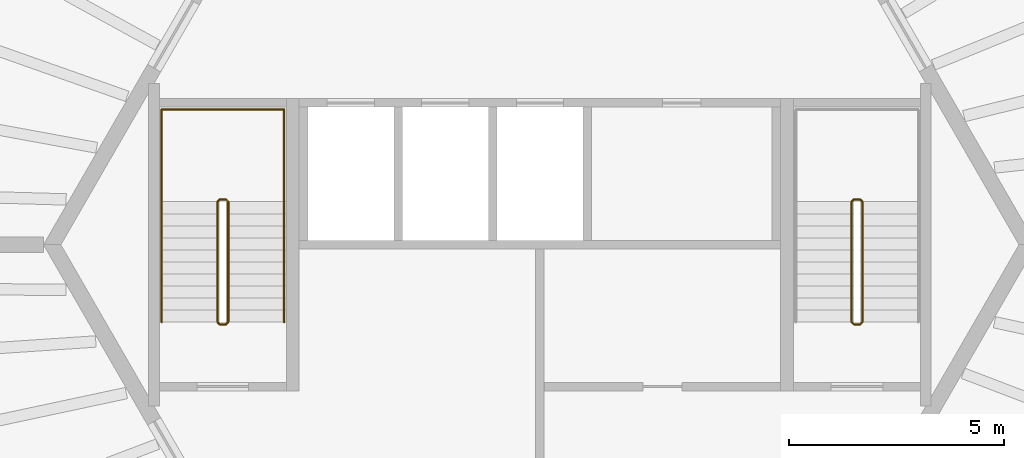
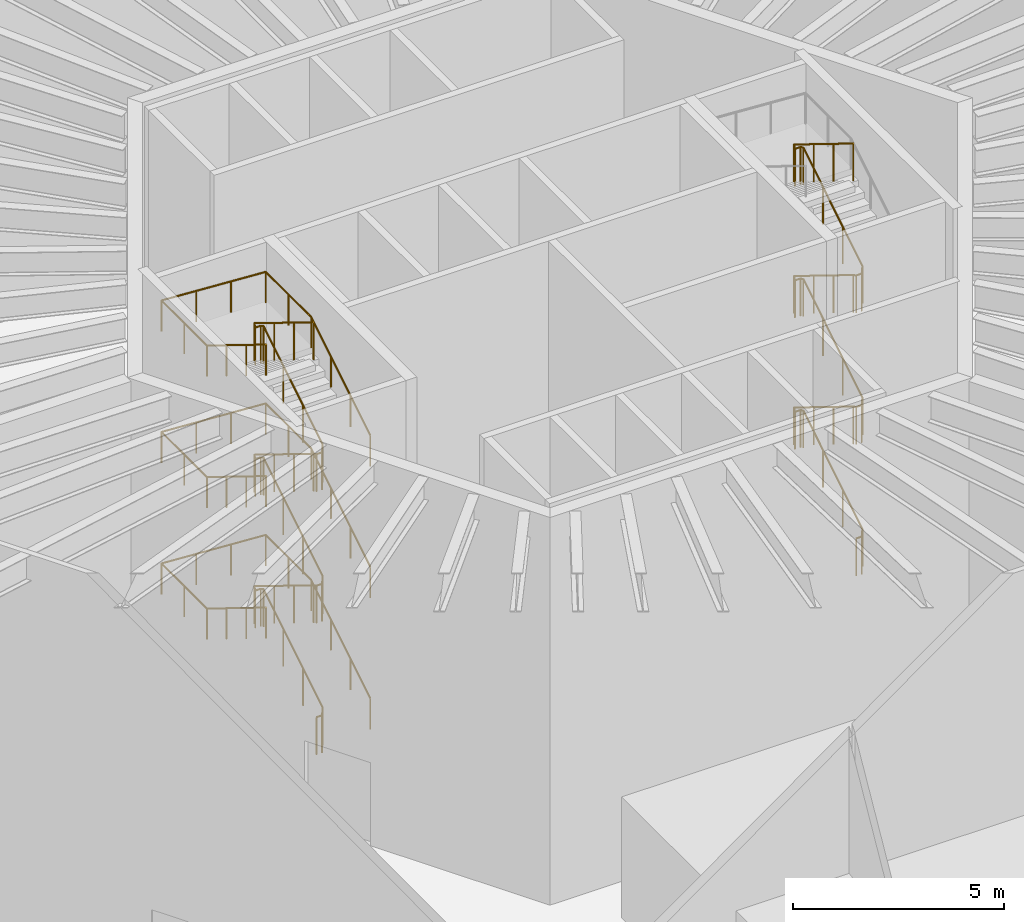
# One storey, part 16 of 17: 5 railings.
"""IFC4 building model written with IfcOpenShell, lengths in metres."""

from ifc_helpers import new_model, si_unit, direction, frame, origin, origin_2d, place, context, subcontext, project, spatial, circle, extrude, material, type_object, element, save


model = new_model("IFC4")

# Units and contexts
model_context = context("Model", 3, precision=1e-05, world=origin(), true_north=direction((0.0, 1.0)))
body_context = subcontext(model_context, "Body", "Model", "MODEL_VIEW")
ifc_project = project(units=[si_unit("LENGTHUNIT", "METRE"), si_unit("AREAUNIT", "SQUARE_METRE"), si_unit("VOLUMEUNIT", "CUBIC_METRE"), si_unit("PLANEANGLEUNIT", "RADIAN"), si_unit("MASSUNIT", "GRAM", prefix="KILO")], contexts=[model_context])

# Site, building, storey
site_placement = place(None, origin())
site = spatial("IfcSite", under=ifc_project, at=site_placement, CompositionType="ELEMENT")
building_placement = place(site_placement, origin())
building = spatial("IfcBuilding", under=site, at=building_placement, Name="Tarnside Tower", CompositionType="ELEMENT")
storey_placement = place(building_placement, frame((0.0, 0.0, 376.800048828125)))
storey = spatial("IfcBuildingStorey", under=building, at=storey_placement, Name="L91", CompositionType="ELEMENT", Elevation=376.800048828125)

# Railings
ifc_material = material(Name="Stainless steel", Category="steel")
railing_type_1 = type_object("IfcRailingType", Name="Stair guard 1100", PredefinedType="GUARDRAIL", material=ifc_material)
railing_1_placement = place(storey_placement, frame((7.300048828125, -1.85009765625, 0.0)))
element("IfcRailing", 1, at=railing_1_placement, inside=storey, type_object=railing_type_1, Name="L91 ST1 stair guard 1", PredefinedType="GUARDRAIL", context=body_context, shape_type="SweptSolid", body=[
    extrude(circle(Radius=0.02392578125, at=origin_2d()), frame((0.0, 0.0, 1.076171875), z_axis=(1.0, 0.0, 0.0), x_axis=(0.0, 1.0, 0.0)), (0.0, 0.0, 1.0), 0.14990234375),
    extrude(circle(Radius=0.02392578125, at=origin_2d()), frame((0.14990234375, 0.0, 1.076171875), z_axis=(0.268277960024, 0.268277960024, 0.925231793839), x_axis=(-0.707106781187, 0.707106781187, 0.0)), (0.0, 0.0, 1.0), 0.1865234375),
    extrude(circle(Radius=0.02392578125, at=origin_2d()), frame((0.199951171875, 0.050048828125, 1.24853515625), z_axis=(0.0, 0.851089632645, 0.525020415988), x_axis=(-1.0, 0.0, 0.0)), (0.0, 0.0, 1.0), 3.2900390625),
    extrude(circle(Radius=0.02392578125, at=origin_2d()), frame((0.199951171875, 2.85009765625, 2.97607421875), z_axis=(-0.707106781187, 0.707106781187, 0.0), x_axis=(-0.707106781187, -0.707106781187, 0.0)), (0.0, 0.0, 1.0), 0.07080078125),
    extrude(circle(Radius=0.02392578125, at=origin_2d()), frame((0.14990234375, 2.900146484375, 2.97607421875), z_axis=(-1.0, 0.0, 0.0), x_axis=(0.0, -1.0, 0.0)), (0.0, 0.0, 1.0), 0.14990234375),
    extrude(circle(Radius=0.02392578125, at=origin_2d()), frame((0.0, 2.900146484375, 2.97607421875), z_axis=(-0.267953482034, -0.267953482034, 0.925419830635), x_axis=(0.707106781187, -0.707106781187, 0.0)), (0.0, 0.0, 1.0), 0.186767578125),
    extrude(circle(Radius=0.02392578125, at=origin_2d()), frame((-0.050048828125, 2.85009765625, 3.14892578125), z_axis=(0.0, -0.851089632645, 0.525020415988), x_axis=(1.0, 0.0, 0.0)), (0.0, 0.0, 1.0), 3.2900390625),
    extrude(circle(Radius=0.02392578125, at=origin_2d()), frame((-0.050048828125, 0.050048828125, 4.8759765625), z_axis=(0.707106781187, -0.707106781187, 0.0), x_axis=(0.707106781187, 0.707106781187, 0.0)), (0.0, 0.0, 1.0), 0.07080078125),
    extrude(circle(Radius=0.02392578125, at=origin_2d()), frame((0.0, 0.0, 4.8759765625), z_axis=(1.0, 0.0, 0.0), x_axis=(0.0, 1.0, 0.0)), (0.0, 0.0, 1.0), 0.14990234375),
    extrude(circle(Radius=0.02392578125, at=origin_2d()), frame((0.14990234375, 0.0, 4.8759765625), z_axis=(0.268277960024, 0.268277960024, 0.925231793839), x_axis=(-0.707106781187, 0.707106781187, 0.0)), (0.0, 0.0, 1.0), 0.1865234375),
    extrude(circle(Radius=0.02392578125, at=origin_2d()), frame((0.199951171875, 0.050048828125, 5.048828125), z_axis=(0.0, 0.851089632645, 0.525020415988), x_axis=(-1.0, 0.0, 0.0)), (0.0, 0.0, 1.0), 3.2900390625),
    extrude(circle(Radius=0.02392578125, at=origin_2d()), frame((0.199951171875, 2.85009765625, 6.77587890625), z_axis=(-0.707106781187, 0.707106781187, 0.0), x_axis=(-0.707106781187, -0.707106781187, 0.0)), (0.0, 0.0, 1.0), 0.07080078125),
    extrude(circle(Radius=0.02392578125, at=origin_2d()), frame((0.14990234375, 2.900146484375, 6.77587890625), z_axis=(-1.0, 0.0, 0.0), x_axis=(0.0, -1.0, 0.0)), (0.0, 0.0, 1.0), 0.14990234375),
    extrude(circle(Radius=0.02392578125, at=origin_2d()), frame((0.0, 2.900146484375, 6.77587890625), z_axis=(-0.268277960024, -0.268277960024, 0.925231793839), x_axis=(0.707106781187, -0.707106781187, 0.0)), (0.0, 0.0, 1.0), 0.1865234375),
    extrude(circle(Radius=0.02392578125, at=origin_2d()), frame((-0.050048828125, 2.85009765625, 6.94873046875), z_axis=(0.0, -0.851089632645, 0.525020415988), x_axis=(1.0, 0.0, 0.0)), (0.0, 0.0, 1.0), 3.2900390625),
    extrude(circle(Radius=0.02392578125, at=origin_2d()), frame((-0.050048828125, 0.050048828125, 8.67578125), z_axis=(0.707106781187, -0.707106781187, 0.0), x_axis=(0.707106781187, 0.707106781187, 0.0)), (0.0, 0.0, 1.0), 0.07080078125),
    extrude(circle(Radius=0.02392578125, at=origin_2d()), frame((0.0, 0.0, 8.67578125), z_axis=(1.0, 0.0, 0.0), x_axis=(0.0, 1.0, 0.0)), (0.0, 0.0, 1.0), 0.14990234375),
    extrude(circle(Radius=0.02392578125, at=origin_2d()), frame((0.14990234375, 0.0, 8.67578125), z_axis=(0.267953482034, 0.267953482034, 0.925419830635), x_axis=(-0.707106781187, 0.707106781187, 0.0)), (0.0, 0.0, 1.0), 0.186767578125),
    extrude(circle(Radius=0.02392578125, at=origin_2d()), frame((0.199951171875, 0.050048828125, 8.8486328125), z_axis=(0.0, 0.851089632645, 0.525020415988), x_axis=(-1.0, 0.0, 0.0)), (0.0, 0.0, 1.0), 3.2900390625),
    extrude(circle(Radius=0.02392578125, at=origin_2d()), frame((0.199951171875, 2.85009765625, 10.576171875), z_axis=(-0.707106781187, 0.707106781187, 0.0), x_axis=(-0.707106781187, -0.707106781187, 0.0)), (0.0, 0.0, 1.0), 0.07080078125),
    extrude(circle(Radius=0.02392578125, at=origin_2d()), frame((0.14990234375, 2.900146484375, 10.576171875), z_axis=(-1.0, 0.0, 0.0), x_axis=(0.0, -1.0, 0.0)), (0.0, 0.0, 1.0), 0.14990234375),
    extrude(circle(Radius=0.02392578125, at=origin_2d()), frame((0.0, 2.900146484375, 10.576171875), z_axis=(-0.268277960024, -0.268277960024, 0.925231793839), x_axis=(0.707106781187, -0.707106781187, 0.0)), (0.0, 0.0, 1.0), 0.1865234375),
    extrude(circle(Radius=0.02392578125, at=origin_2d()), frame((-0.050048828125, 2.85009765625, 10.74853515625), z_axis=(0.0, -0.851089632645, 0.525020415988), x_axis=(1.0, 0.0, 0.0)), (0.0, 0.0, 1.0), 3.2900390625),
    extrude(circle(Radius=0.02099609375, at=origin_2d()), origin(), (0.0, 0.0, 1.0), 1.052001953125),
    extrude(circle(Radius=0.02099609375, at=origin_2d()), frame((0.14990234375, 0.0, 0.0)), (0.0, 0.0, 1.0), 1.052001953125),
    extrude(circle(Radius=0.02099609375, at=origin_2d()), frame((0.199951171875, 0.050048828125, 0.172607421875)), (0.0, 0.0, 1.0), 1.052001953125),
    extrude(circle(Radius=0.02099609375, at=origin_2d()), frame((0.199951171875, 0.9833984375, 0.748291015625)), (0.0, 0.0, 1.0), 1.052001953125),
    extrude(circle(Radius=0.02099609375, at=origin_2d()), frame((0.199951171875, 1.916748046875, 1.32421875)), (0.0, 0.0, 1.0), 1.052001953125),
    extrude(circle(Radius=0.02099609375, at=origin_2d()), frame((0.199951171875, 2.85009765625, 1.89990234375)), (0.0, 0.0, 1.0), 1.052001953125),
    extrude(circle(Radius=0.02099609375, at=origin_2d()), frame((0.14990234375, 2.900146484375, 1.89990234375)), (0.0, 0.0, 1.0), 1.052001953125),
    extrude(circle(Radius=0.02099609375, at=origin_2d()), frame((0.0, 2.900146484375, 1.89990234375)), (0.0, 0.0, 1.0), 1.052001953125),
    extrude(circle(Radius=0.02099609375, at=origin_2d()), frame((-0.050048828125, 2.85009765625, 2.07275390625)), (0.0, 0.0, 1.0), 1.052001953125),
    extrude(circle(Radius=0.02099609375, at=origin_2d()), frame((-0.050048828125, 1.916748046875, 2.6484375)), (0.0, 0.0, 1.0), 1.052001953125),
    extrude(circle(Radius=0.02099609375, at=origin_2d()), frame((-0.050048828125, 0.9833984375, 3.224365234375)), (0.0, 0.0, 1.0), 1.052001953125),
    extrude(circle(Radius=0.02099609375, at=origin_2d()), frame((-0.050048828125, 0.050048828125, 3.800048828125)), (0.0, 0.0, 1.0), 1.052001953125),
    extrude(circle(Radius=0.02099609375, at=origin_2d()), frame((0.0, 0.0, 3.800048828125)), (0.0, 0.0, 1.0), 1.052001953125),
    extrude(circle(Radius=0.02099609375, at=origin_2d()), frame((0.14990234375, 0.0, 3.800048828125)), (0.0, 0.0, 1.0), 1.052001953125),
    extrude(circle(Radius=0.02099609375, at=origin_2d()), frame((0.199951171875, 0.050048828125, 3.97265625)), (0.0, 0.0, 1.0), 1.052001953125),
    extrude(circle(Radius=0.02099609375, at=origin_2d()), frame((0.199951171875, 0.9833984375, 4.54833984375)), (0.0, 0.0, 1.0), 1.052001953125),
    extrude(circle(Radius=0.02099609375, at=origin_2d()), frame((0.199951171875, 1.916748046875, 5.124267578125)), (0.0, 0.0, 1.0), 1.052001953125),
    extrude(circle(Radius=0.02099609375, at=origin_2d()), frame((0.199951171875, 2.85009765625, 5.699951171875)), (0.0, 0.0, 1.0), 1.052001953125),
    extrude(circle(Radius=0.02099609375, at=origin_2d()), frame((0.14990234375, 2.900146484375, 5.699951171875)), (0.0, 0.0, 1.0), 1.052001953125),
    extrude(circle(Radius=0.02099609375, at=origin_2d()), frame((0.0, 2.900146484375, 5.699951171875)), (0.0, 0.0, 1.0), 1.052001953125),
    extrude(circle(Radius=0.02099609375, at=origin_2d()), frame((-0.050048828125, 2.85009765625, 5.87255859375)), (0.0, 0.0, 1.0), 1.052001953125),
    extrude(circle(Radius=0.02099609375, at=origin_2d()), frame((-0.050048828125, 1.916748046875, 6.4482421875)), (0.0, 0.0, 1.0), 1.052001953125),
    extrude(circle(Radius=0.02099609375, at=origin_2d()), frame((-0.050048828125, 0.9833984375, 7.024169921875)), (0.0, 0.0, 1.0), 1.052001953125),
    extrude(circle(Radius=0.02099609375, at=origin_2d()), frame((-0.050048828125, 0.050048828125, 7.599853515625)), (0.0, 0.0, 1.0), 1.052001953125),
    extrude(circle(Radius=0.02099609375, at=origin_2d()), frame((0.0, 0.0, 7.599853515625)), (0.0, 0.0, 1.0), 1.052001953125),
    extrude(circle(Radius=0.02099609375, at=origin_2d()), frame((0.14990234375, 0.0, 7.599853515625)), (0.0, 0.0, 1.0), 1.052001953125),
    extrude(circle(Radius=0.02099609375, at=origin_2d()), frame((0.199951171875, 0.050048828125, 7.772705078125)), (0.0, 0.0, 1.0), 1.052001953125),
    extrude(circle(Radius=0.02099609375, at=origin_2d()), frame((0.199951171875, 0.9833984375, 8.348388671875)), (0.0, 0.0, 1.0), 1.052001953125),
    extrude(circle(Radius=0.02099609375, at=origin_2d()), frame((0.199951171875, 1.916748046875, 8.92431640625)), (0.0, 0.0, 1.0), 1.052001953125),
    extrude(circle(Radius=0.02099609375, at=origin_2d()), frame((0.199951171875, 2.85009765625, 9.5)), (0.0, 0.0, 1.0), 1.052001953125),
    extrude(circle(Radius=0.02099609375, at=origin_2d()), frame((0.14990234375, 2.900146484375, 9.5)), (0.0, 0.0, 1.0), 1.052001953125),
    extrude(circle(Radius=0.02099609375, at=origin_2d()), frame((0.0, 2.900146484375, 9.5)), (0.0, 0.0, 1.0), 1.052001953125),
    extrude(circle(Radius=0.02099609375, at=origin_2d()), frame((-0.050048828125, 2.85009765625, 9.672607421875)), (0.0, 0.0, 1.0), 1.052001953125),
    extrude(circle(Radius=0.02099609375, at=origin_2d()), frame((-0.050048828125, 1.916748046875, 10.248291015625)), (0.0, 0.0, 1.0), 1.052001953125),
    extrude(circle(Radius=0.02099609375, at=origin_2d()), frame((-0.050048828125, 0.9833984375, 10.82421875)), (0.0, 0.0, 1.0), 1.052001953125),
    extrude(circle(Radius=0.02099609375, at=origin_2d()), frame((-0.050048828125, 0.050048828125, 11.39990234375)), (0.0, 0.0, 1.0), 1.052001953125),
])
railing_2_placement = place(storey_placement, frame((-7.449951171875, -1.85009765625, 0.0)))
element("IfcRailing", 2, at=railing_2_placement, inside=storey, type_object=railing_type_1, Name="L91 ST2 stair guard 1", PredefinedType="GUARDRAIL", context=body_context, shape_type="SweptSolid", body=[
    extrude(circle(Radius=0.02392578125, at=origin_2d()), frame((0.0, 0.0, 1.076171875), z_axis=(1.0, 0.0, 0.0), x_axis=(0.0, 1.0, 0.0)), (0.0, 0.0, 1.0), 0.14990234375),
    extrude(circle(Radius=0.02392578125, at=origin_2d()), frame((0.14990234375, 0.0, 1.076171875), z_axis=(0.268277960024, 0.268277960024, 0.925231793839), x_axis=(-0.707106781187, 0.707106781187, 0.0)), (0.0, 0.0, 1.0), 0.1865234375),
    extrude(circle(Radius=0.02392578125, at=origin_2d()), frame((0.199951171875, 0.050048828125, 1.24853515625), z_axis=(0.0, 0.851089632645, 0.525020415988), x_axis=(-1.0, 0.0, 0.0)), (0.0, 0.0, 1.0), 3.2900390625),
    extrude(circle(Radius=0.02392578125, at=origin_2d()), frame((0.199951171875, 2.85009765625, 2.97607421875), z_axis=(-0.707106781187, 0.707106781187, 0.0), x_axis=(-0.707106781187, -0.707106781187, 0.0)), (0.0, 0.0, 1.0), 0.07080078125),
    extrude(circle(Radius=0.02392578125, at=origin_2d()), frame((0.14990234375, 2.900146484375, 2.97607421875), z_axis=(-1.0, 0.0, 0.0), x_axis=(0.0, -1.0, 0.0)), (0.0, 0.0, 1.0), 0.14990234375),
    extrude(circle(Radius=0.02392578125, at=origin_2d()), frame((0.0, 2.900146484375, 2.97607421875), z_axis=(-0.267953482034, -0.267953482034, 0.925419830635), x_axis=(0.707106781187, -0.707106781187, 0.0)), (0.0, 0.0, 1.0), 0.186767578125),
    extrude(circle(Radius=0.02392578125, at=origin_2d()), frame((-0.050048828125, 2.85009765625, 3.14892578125), z_axis=(0.0, -0.851089632645, 0.525020415988), x_axis=(1.0, 0.0, 0.0)), (0.0, 0.0, 1.0), 3.2900390625),
    extrude(circle(Radius=0.02392578125, at=origin_2d()), frame((-0.050048828125, 0.050048828125, 4.8759765625), z_axis=(0.707106781187, -0.707106781187, 0.0), x_axis=(0.707106781187, 0.707106781187, 0.0)), (0.0, 0.0, 1.0), 0.07080078125),
    extrude(circle(Radius=0.02392578125, at=origin_2d()), frame((0.0, 0.0, 4.8759765625), z_axis=(1.0, 0.0, 0.0), x_axis=(0.0, 1.0, 0.0)), (0.0, 0.0, 1.0), 0.14990234375),
    extrude(circle(Radius=0.02392578125, at=origin_2d()), frame((0.14990234375, 0.0, 4.8759765625), z_axis=(0.268277960024, 0.268277960024, 0.925231793839), x_axis=(-0.707106781187, 0.707106781187, 0.0)), (0.0, 0.0, 1.0), 0.1865234375),
    extrude(circle(Radius=0.02392578125, at=origin_2d()), frame((0.199951171875, 0.050048828125, 5.048828125), z_axis=(0.0, 0.851089632645, 0.525020415988), x_axis=(-1.0, 0.0, 0.0)), (0.0, 0.0, 1.0), 3.2900390625),
    extrude(circle(Radius=0.02392578125, at=origin_2d()), frame((0.199951171875, 2.85009765625, 6.77587890625), z_axis=(-0.707106781187, 0.707106781187, 0.0), x_axis=(-0.707106781187, -0.707106781187, 0.0)), (0.0, 0.0, 1.0), 0.07080078125),
    extrude(circle(Radius=0.02392578125, at=origin_2d()), frame((0.14990234375, 2.900146484375, 6.77587890625), z_axis=(-1.0, 0.0, 0.0), x_axis=(0.0, -1.0, 0.0)), (0.0, 0.0, 1.0), 0.14990234375),
    extrude(circle(Radius=0.02392578125, at=origin_2d()), frame((0.0, 2.900146484375, 6.77587890625), z_axis=(-0.268277960024, -0.268277960024, 0.925231793839), x_axis=(0.707106781187, -0.707106781187, 0.0)), (0.0, 0.0, 1.0), 0.1865234375),
    extrude(circle(Radius=0.02392578125, at=origin_2d()), frame((-0.050048828125, 2.85009765625, 6.94873046875), z_axis=(0.0, -0.851089632645, 0.525020415988), x_axis=(1.0, 0.0, 0.0)), (0.0, 0.0, 1.0), 3.2900390625),
    extrude(circle(Radius=0.02392578125, at=origin_2d()), frame((-0.050048828125, 0.050048828125, 8.67578125), z_axis=(0.707106781187, -0.707106781187, 0.0), x_axis=(0.707106781187, 0.707106781187, 0.0)), (0.0, 0.0, 1.0), 0.07080078125),
    extrude(circle(Radius=0.02392578125, at=origin_2d()), frame((0.0, 0.0, 8.67578125), z_axis=(1.0, 0.0, 0.0), x_axis=(0.0, 1.0, 0.0)), (0.0, 0.0, 1.0), 0.14990234375),
    extrude(circle(Radius=0.02392578125, at=origin_2d()), frame((0.14990234375, 0.0, 8.67578125), z_axis=(0.267953482034, 0.267953482034, 0.925419830635), x_axis=(-0.707106781187, 0.707106781187, 0.0)), (0.0, 0.0, 1.0), 0.186767578125),
    extrude(circle(Radius=0.02392578125, at=origin_2d()), frame((0.199951171875, 0.050048828125, 8.8486328125), z_axis=(0.0, 0.851089632645, 0.525020415988), x_axis=(-1.0, 0.0, 0.0)), (0.0, 0.0, 1.0), 3.2900390625),
    extrude(circle(Radius=0.02392578125, at=origin_2d()), frame((0.199951171875, 2.85009765625, 10.576171875), z_axis=(-0.707106781187, 0.707106781187, 0.0), x_axis=(-0.707106781187, -0.707106781187, 0.0)), (0.0, 0.0, 1.0), 0.07080078125),
    extrude(circle(Radius=0.02392578125, at=origin_2d()), frame((0.14990234375, 2.900146484375, 10.576171875), z_axis=(-1.0, 0.0, 0.0), x_axis=(0.0, -1.0, 0.0)), (0.0, 0.0, 1.0), 0.14990234375),
    extrude(circle(Radius=0.02392578125, at=origin_2d()), frame((0.0, 2.900146484375, 10.576171875), z_axis=(-0.268277960024, -0.268277960024, 0.925231793839), x_axis=(0.707106781187, -0.707106781187, 0.0)), (0.0, 0.0, 1.0), 0.1865234375),
    extrude(circle(Radius=0.02392578125, at=origin_2d()), frame((-0.050048828125, 2.85009765625, 10.74853515625), z_axis=(0.0, -0.851089632645, 0.525020415988), x_axis=(1.0, 0.0, 0.0)), (0.0, 0.0, 1.0), 3.2900390625),
    extrude(circle(Radius=0.02099609375, at=origin_2d()), origin(), (0.0, 0.0, 1.0), 1.052001953125),
    extrude(circle(Radius=0.02099609375, at=origin_2d()), frame((0.14990234375, 0.0, 0.0)), (0.0, 0.0, 1.0), 1.052001953125),
    extrude(circle(Radius=0.02099609375, at=origin_2d()), frame((0.199951171875, 0.050048828125, 0.172607421875)), (0.0, 0.0, 1.0), 1.052001953125),
    extrude(circle(Radius=0.02099609375, at=origin_2d()), frame((0.199951171875, 0.9833984375, 0.748291015625)), (0.0, 0.0, 1.0), 1.052001953125),
    extrude(circle(Radius=0.02099609375, at=origin_2d()), frame((0.199951171875, 1.916748046875, 1.32421875)), (0.0, 0.0, 1.0), 1.052001953125),
    extrude(circle(Radius=0.02099609375, at=origin_2d()), frame((0.199951171875, 2.85009765625, 1.89990234375)), (0.0, 0.0, 1.0), 1.052001953125),
    extrude(circle(Radius=0.02099609375, at=origin_2d()), frame((0.14990234375, 2.900146484375, 1.89990234375)), (0.0, 0.0, 1.0), 1.052001953125),
    extrude(circle(Radius=0.02099609375, at=origin_2d()), frame((0.0, 2.900146484375, 1.89990234375)), (0.0, 0.0, 1.0), 1.052001953125),
    extrude(circle(Radius=0.02099609375, at=origin_2d()), frame((-0.050048828125, 2.85009765625, 2.07275390625)), (0.0, 0.0, 1.0), 1.052001953125),
    extrude(circle(Radius=0.02099609375, at=origin_2d()), frame((-0.050048828125, 1.916748046875, 2.6484375)), (0.0, 0.0, 1.0), 1.052001953125),
    extrude(circle(Radius=0.02099609375, at=origin_2d()), frame((-0.050048828125, 0.9833984375, 3.224365234375)), (0.0, 0.0, 1.0), 1.052001953125),
    extrude(circle(Radius=0.02099609375, at=origin_2d()), frame((-0.050048828125, 0.050048828125, 3.800048828125)), (0.0, 0.0, 1.0), 1.052001953125),
    extrude(circle(Radius=0.02099609375, at=origin_2d()), frame((0.0, 0.0, 3.800048828125)), (0.0, 0.0, 1.0), 1.052001953125),
    extrude(circle(Radius=0.02099609375, at=origin_2d()), frame((0.14990234375, 0.0, 3.800048828125)), (0.0, 0.0, 1.0), 1.052001953125),
    extrude(circle(Radius=0.02099609375, at=origin_2d()), frame((0.199951171875, 0.050048828125, 3.97265625)), (0.0, 0.0, 1.0), 1.052001953125),
    extrude(circle(Radius=0.02099609375, at=origin_2d()), frame((0.199951171875, 0.9833984375, 4.54833984375)), (0.0, 0.0, 1.0), 1.052001953125),
    extrude(circle(Radius=0.02099609375, at=origin_2d()), frame((0.199951171875, 1.916748046875, 5.124267578125)), (0.0, 0.0, 1.0), 1.052001953125),
    extrude(circle(Radius=0.02099609375, at=origin_2d()), frame((0.199951171875, 2.85009765625, 5.699951171875)), (0.0, 0.0, 1.0), 1.052001953125),
    extrude(circle(Radius=0.02099609375, at=origin_2d()), frame((0.14990234375, 2.900146484375, 5.699951171875)), (0.0, 0.0, 1.0), 1.052001953125),
    extrude(circle(Radius=0.02099609375, at=origin_2d()), frame((0.0, 2.900146484375, 5.699951171875)), (0.0, 0.0, 1.0), 1.052001953125),
    extrude(circle(Radius=0.02099609375, at=origin_2d()), frame((-0.050048828125, 2.85009765625, 5.87255859375)), (0.0, 0.0, 1.0), 1.052001953125),
    extrude(circle(Radius=0.02099609375, at=origin_2d()), frame((-0.050048828125, 1.916748046875, 6.4482421875)), (0.0, 0.0, 1.0), 1.052001953125),
    extrude(circle(Radius=0.02099609375, at=origin_2d()), frame((-0.050048828125, 0.9833984375, 7.024169921875)), (0.0, 0.0, 1.0), 1.052001953125),
    extrude(circle(Radius=0.02099609375, at=origin_2d()), frame((-0.050048828125, 0.050048828125, 7.599853515625)), (0.0, 0.0, 1.0), 1.052001953125),
    extrude(circle(Radius=0.02099609375, at=origin_2d()), frame((0.0, 0.0, 7.599853515625)), (0.0, 0.0, 1.0), 1.052001953125),
    extrude(circle(Radius=0.02099609375, at=origin_2d()), frame((0.14990234375, 0.0, 7.599853515625)), (0.0, 0.0, 1.0), 1.052001953125),
    extrude(circle(Radius=0.02099609375, at=origin_2d()), frame((0.199951171875, 0.050048828125, 7.772705078125)), (0.0, 0.0, 1.0), 1.052001953125),
    extrude(circle(Radius=0.02099609375, at=origin_2d()), frame((0.199951171875, 0.9833984375, 8.348388671875)), (0.0, 0.0, 1.0), 1.052001953125),
    extrude(circle(Radius=0.02099609375, at=origin_2d()), frame((0.199951171875, 1.916748046875, 8.92431640625)), (0.0, 0.0, 1.0), 1.052001953125),
    extrude(circle(Radius=0.02099609375, at=origin_2d()), frame((0.199951171875, 2.85009765625, 9.5)), (0.0, 0.0, 1.0), 1.052001953125),
    extrude(circle(Radius=0.02099609375, at=origin_2d()), frame((0.14990234375, 2.900146484375, 9.5)), (0.0, 0.0, 1.0), 1.052001953125),
    extrude(circle(Radius=0.02099609375, at=origin_2d()), frame((0.0, 2.900146484375, 9.5)), (0.0, 0.0, 1.0), 1.052001953125),
    extrude(circle(Radius=0.02099609375, at=origin_2d()), frame((-0.050048828125, 2.85009765625, 9.672607421875)), (0.0, 0.0, 1.0), 1.052001953125),
    extrude(circle(Radius=0.02099609375, at=origin_2d()), frame((-0.050048828125, 1.916748046875, 10.248291015625)), (0.0, 0.0, 1.0), 1.052001953125),
    extrude(circle(Radius=0.02099609375, at=origin_2d()), frame((-0.050048828125, 0.9833984375, 10.82421875)), (0.0, 0.0, 1.0), 1.052001953125),
    extrude(circle(Radius=0.02099609375, at=origin_2d()), frame((-0.050048828125, 0.050048828125, 11.39990234375)), (0.0, 0.0, 1.0), 1.052001953125),
])
railing_type_2 = type_object("IfcRailingType", Name="Stair handrail 900", PredefinedType="HANDRAIL", material=ifc_material)
railing_3_placement = place(storey_placement, frame((-5.949951171875, -1.800048828125, 0.172607421875)))
element("IfcRailing", 3, at=railing_3_placement, inside=storey, type_object=railing_type_2, Name="L91 ST2 stair handrail 1", PredefinedType="HANDRAIL", context=body_context, shape_type="SweptSolid", body=[
    extrude(circle(Radius=0.02392578125, at=origin_2d()), frame((0.0, 0.0, 0.8857421875), z_axis=(0.0, 0.851089632645, 0.525020415988), x_axis=(-1.0, 0.0, 0.0)), (0.0, 0.0, 1.0), 3.2900390625),
    extrude(circle(Radius=0.02392578125, at=origin_2d()), frame((0.0, 2.800048828125, 2.61328125), z_axis=(0.0, 1.0, 0.0), x_axis=(-1.0, 0.0, 0.0)), (0.0, 0.0, 1.0), 2.14990234375),
    extrude(circle(Radius=0.02392578125, at=origin_2d()), frame((0.0, 4.949951171875, 2.61328125), z_axis=(-0.998165992477, 0.0, 0.0605363648), x_axis=(0.0, -1.0, 0.0)), (0.0, 0.0, 1.0), 2.855224609375),
    extrude(circle(Radius=0.02392578125, at=origin_2d()), frame((-2.85009765625, 4.949951171875, 2.7861328125), z_axis=(0.0, -1.0, 0.0), x_axis=(1.0, 0.0, 0.0)), (0.0, 0.0, 1.0), 2.14990234375),
    extrude(circle(Radius=0.02392578125, at=origin_2d()), frame((-2.85009765625, 2.800048828125, 2.7861328125), z_axis=(0.0, -0.851089632645, 0.525020415988), x_axis=(1.0, 0.0, 0.0)), (0.0, 0.0, 1.0), 3.2900390625),
    extrude(circle(Radius=0.02099609375, at=origin_2d()), origin(), (0.0, 0.0, 1.0), 0.86181640625),
    extrude(circle(Radius=0.02099609375, at=origin_2d()), frame((0.0, 0.933349609375, 0.57568359375)), (0.0, 0.0, 1.0), 0.86181640625),
    extrude(circle(Radius=0.02099609375, at=origin_2d()), frame((0.0, 1.86669921875, 1.151611328125)), (0.0, 0.0, 1.0), 0.86181640625),
    extrude(circle(Radius=0.02099609375, at=origin_2d()), frame((0.0, 2.800048828125, 1.727294921875)), (0.0, 0.0, 1.0), 0.86181640625),
    extrude(circle(Radius=0.02099609375, at=origin_2d()), frame((0.0, 3.875, 1.727294921875)), (0.0, 0.0, 1.0), 0.86181640625),
    extrude(circle(Radius=0.02099609375, at=origin_2d()), frame((0.0, 4.949951171875, 1.727294921875)), (0.0, 0.0, 1.0), 0.86181640625),
    extrude(circle(Radius=0.02099609375, at=origin_2d()), frame((-0.949951171875, 4.949951171875, 1.784912109375)), (0.0, 0.0, 1.0), 0.86181640625),
    extrude(circle(Radius=0.02099609375, at=origin_2d()), frame((-1.900146484375, 4.949951171875, 1.842529296875)), (0.0, 0.0, 1.0), 0.86181640625),
    extrude(circle(Radius=0.02099609375, at=origin_2d()), frame((-2.85009765625, 4.949951171875, 1.900146484375)), (0.0, 0.0, 1.0), 0.86181640625),
    extrude(circle(Radius=0.02099609375, at=origin_2d()), frame((-2.85009765625, 3.875, 1.900146484375)), (0.0, 0.0, 1.0), 0.86181640625),
    extrude(circle(Radius=0.02099609375, at=origin_2d()), frame((-2.85009765625, 2.800048828125, 1.900146484375)), (0.0, 0.0, 1.0), 0.86181640625),
    extrude(circle(Radius=0.02099609375, at=origin_2d()), frame((-2.85009765625, 1.86669921875, 2.475830078125)), (0.0, 0.0, 1.0), 0.86181640625),
    extrude(circle(Radius=0.02099609375, at=origin_2d()), frame((-2.85009765625, 0.933349609375, 3.0517578125)), (0.0, 0.0, 1.0), 0.86181640625),
    extrude(circle(Radius=0.02099609375, at=origin_2d()), frame((-2.85009765625, 0.0, 3.62744140625)), (0.0, 0.0, 1.0), 0.86181640625),
])
railing_4_placement = place(storey_placement, frame((-5.949951171875, -1.800048828125, 3.97265625)))
element("IfcRailing", 4, at=railing_4_placement, inside=storey, type_object=railing_type_2, Name="L91 ST2 stair handrail 2", PredefinedType="HANDRAIL", context=body_context, shape_type="SweptSolid", body=[
    extrude(circle(Radius=0.02392578125, at=origin_2d()), frame((0.0, 0.0, 0.8857421875), z_axis=(0.0, 0.851089632645, 0.525020415988), x_axis=(-1.0, 0.0, 0.0)), (0.0, 0.0, 1.0), 3.2900390625),
    extrude(circle(Radius=0.02392578125, at=origin_2d()), frame((0.0, 2.800048828125, 2.61328125), z_axis=(0.0, 1.0, 0.0), x_axis=(-1.0, 0.0, 0.0)), (0.0, 0.0, 1.0), 2.14990234375),
    extrude(circle(Radius=0.02392578125, at=origin_2d()), frame((0.0, 4.949951171875, 2.61328125), z_axis=(-0.998171155436, 0.0, 0.060451174139), x_axis=(0.0, -1.0, 0.0)), (0.0, 0.0, 1.0), 2.855224609375),
    extrude(circle(Radius=0.02392578125, at=origin_2d()), frame((-2.85009765625, 4.949951171875, 2.78564453125), z_axis=(0.0, -1.0, 0.0), x_axis=(1.0, 0.0, 0.0)), (0.0, 0.0, 1.0), 2.14990234375),
    extrude(circle(Radius=0.02392578125, at=origin_2d()), frame((-2.85009765625, 2.800048828125, 2.78564453125), z_axis=(0.0, -0.851089632645, 0.525020415988), x_axis=(1.0, 0.0, 0.0)), (0.0, 0.0, 1.0), 3.2900390625),
    extrude(circle(Radius=0.02099609375, at=origin_2d()), origin(), (0.0, 0.0, 1.0), 0.86181640625),
    extrude(circle(Radius=0.02099609375, at=origin_2d()), frame((0.0, 0.933349609375, 0.57568359375)), (0.0, 0.0, 1.0), 0.86181640625),
    extrude(circle(Radius=0.02099609375, at=origin_2d()), frame((0.0, 1.86669921875, 1.151611328125)), (0.0, 0.0, 1.0), 0.86181640625),
    extrude(circle(Radius=0.02099609375, at=origin_2d()), frame((0.0, 2.800048828125, 1.727294921875)), (0.0, 0.0, 1.0), 0.86181640625),
    extrude(circle(Radius=0.02099609375, at=origin_2d()), frame((0.0, 3.875, 1.727294921875)), (0.0, 0.0, 1.0), 0.86181640625),
    extrude(circle(Radius=0.02099609375, at=origin_2d()), frame((0.0, 4.949951171875, 1.727294921875)), (0.0, 0.0, 1.0), 0.86181640625),
    extrude(circle(Radius=0.02099609375, at=origin_2d()), frame((-0.949951171875, 4.949951171875, 1.784912109375)), (0.0, 0.0, 1.0), 0.86181640625),
    extrude(circle(Radius=0.02099609375, at=origin_2d()), frame((-1.900146484375, 4.949951171875, 1.84228515625)), (0.0, 0.0, 1.0), 0.86181640625),
    extrude(circle(Radius=0.02099609375, at=origin_2d()), frame((-2.85009765625, 4.949951171875, 1.89990234375)), (0.0, 0.0, 1.0), 0.86181640625),
    extrude(circle(Radius=0.02099609375, at=origin_2d()), frame((-2.85009765625, 3.875, 1.89990234375)), (0.0, 0.0, 1.0), 0.86181640625),
    extrude(circle(Radius=0.02099609375, at=origin_2d()), frame((-2.85009765625, 2.800048828125, 1.89990234375)), (0.0, 0.0, 1.0), 0.86181640625),
    extrude(circle(Radius=0.02099609375, at=origin_2d()), frame((-2.85009765625, 1.86669921875, 2.4755859375)), (0.0, 0.0, 1.0), 0.86181640625),
    extrude(circle(Radius=0.02099609375, at=origin_2d()), frame((-2.85009765625, 0.933349609375, 3.051513671875)), (0.0, 0.0, 1.0), 0.86181640625),
    extrude(circle(Radius=0.02099609375, at=origin_2d()), frame((-2.85009765625, 0.0, 3.627197265625)), (0.0, 0.0, 1.0), 0.86181640625),
])
railing_5_placement = place(storey_placement, frame((-5.949951171875, -1.800048828125, 7.772705078125)))
element("IfcRailing", 5, at=railing_5_placement, inside=storey, type_object=railing_type_2, Name="L91 ST2 stair handrail 3", PredefinedType="HANDRAIL", context=body_context, shape_type="SweptSolid", body=[
    extrude(circle(Radius=0.02392578125, at=origin_2d()), frame((0.0, 0.0, 0.8857421875), z_axis=(0.0, 0.851089632645, 0.525020415988), x_axis=(-1.0, 0.0, 0.0)), (0.0, 0.0, 1.0), 3.2900390625),
    extrude(circle(Radius=0.02392578125, at=origin_2d()), frame((0.0, 2.800048828125, 2.61328125), z_axis=(0.0, 1.0, 0.0), x_axis=(-1.0, 0.0, 0.0)), (0.0, 0.0, 1.0), 2.14990234375),
    extrude(circle(Radius=0.02392578125, at=origin_2d()), frame((0.0, 4.949951171875, 2.61328125), z_axis=(-0.998171155436, 0.0, 0.060451174139), x_axis=(0.0, -1.0, 0.0)), (0.0, 0.0, 1.0), 2.855224609375),
    extrude(circle(Radius=0.02392578125, at=origin_2d()), frame((-2.85009765625, 4.949951171875, 2.78564453125), z_axis=(0.0, -1.0, 0.0), x_axis=(1.0, 0.0, 0.0)), (0.0, 0.0, 1.0), 2.14990234375),
    extrude(circle(Radius=0.02392578125, at=origin_2d()), frame((-2.85009765625, 2.800048828125, 2.78564453125), z_axis=(0.0, -0.851089632645, 0.525020415988), x_axis=(1.0, 0.0, 0.0)), (0.0, 0.0, 1.0), 3.2900390625),
    extrude(circle(Radius=0.02099609375, at=origin_2d()), origin(), (0.0, 0.0, 1.0), 0.86181640625),
    extrude(circle(Radius=0.02099609375, at=origin_2d()), frame((0.0, 0.933349609375, 0.57568359375)), (0.0, 0.0, 1.0), 0.86181640625),
    extrude(circle(Radius=0.02099609375, at=origin_2d()), frame((0.0, 1.86669921875, 1.151611328125)), (0.0, 0.0, 1.0), 0.86181640625),
    extrude(circle(Radius=0.02099609375, at=origin_2d()), frame((0.0, 2.800048828125, 1.727294921875)), (0.0, 0.0, 1.0), 0.86181640625),
    extrude(circle(Radius=0.02099609375, at=origin_2d()), frame((0.0, 3.875, 1.727294921875)), (0.0, 0.0, 1.0), 0.86181640625),
    extrude(circle(Radius=0.02099609375, at=origin_2d()), frame((0.0, 4.949951171875, 1.727294921875)), (0.0, 0.0, 1.0), 0.86181640625),
    extrude(circle(Radius=0.02099609375, at=origin_2d()), frame((-0.949951171875, 4.949951171875, 1.784912109375)), (0.0, 0.0, 1.0), 0.86181640625),
    extrude(circle(Radius=0.02099609375, at=origin_2d()), frame((-1.900146484375, 4.949951171875, 1.84228515625)), (0.0, 0.0, 1.0), 0.86181640625),
    extrude(circle(Radius=0.02099609375, at=origin_2d()), frame((-2.85009765625, 4.949951171875, 1.89990234375)), (0.0, 0.0, 1.0), 0.86181640625),
    extrude(circle(Radius=0.02099609375, at=origin_2d()), frame((-2.85009765625, 3.875, 1.89990234375)), (0.0, 0.0, 1.0), 0.86181640625),
    extrude(circle(Radius=0.02099609375, at=origin_2d()), frame((-2.85009765625, 2.800048828125, 1.89990234375)), (0.0, 0.0, 1.0), 0.86181640625),
    extrude(circle(Radius=0.02099609375, at=origin_2d()), frame((-2.85009765625, 1.86669921875, 2.4755859375)), (0.0, 0.0, 1.0), 0.86181640625),
    extrude(circle(Radius=0.02099609375, at=origin_2d()), frame((-2.85009765625, 0.933349609375, 3.051513671875)), (0.0, 0.0, 1.0), 0.86181640625),
    extrude(circle(Radius=0.02099609375, at=origin_2d()), frame((-2.85009765625, 0.0, 3.627197265625)), (0.0, 0.0, 1.0), 0.86181640625),
])

save(model, "model.ifc")
